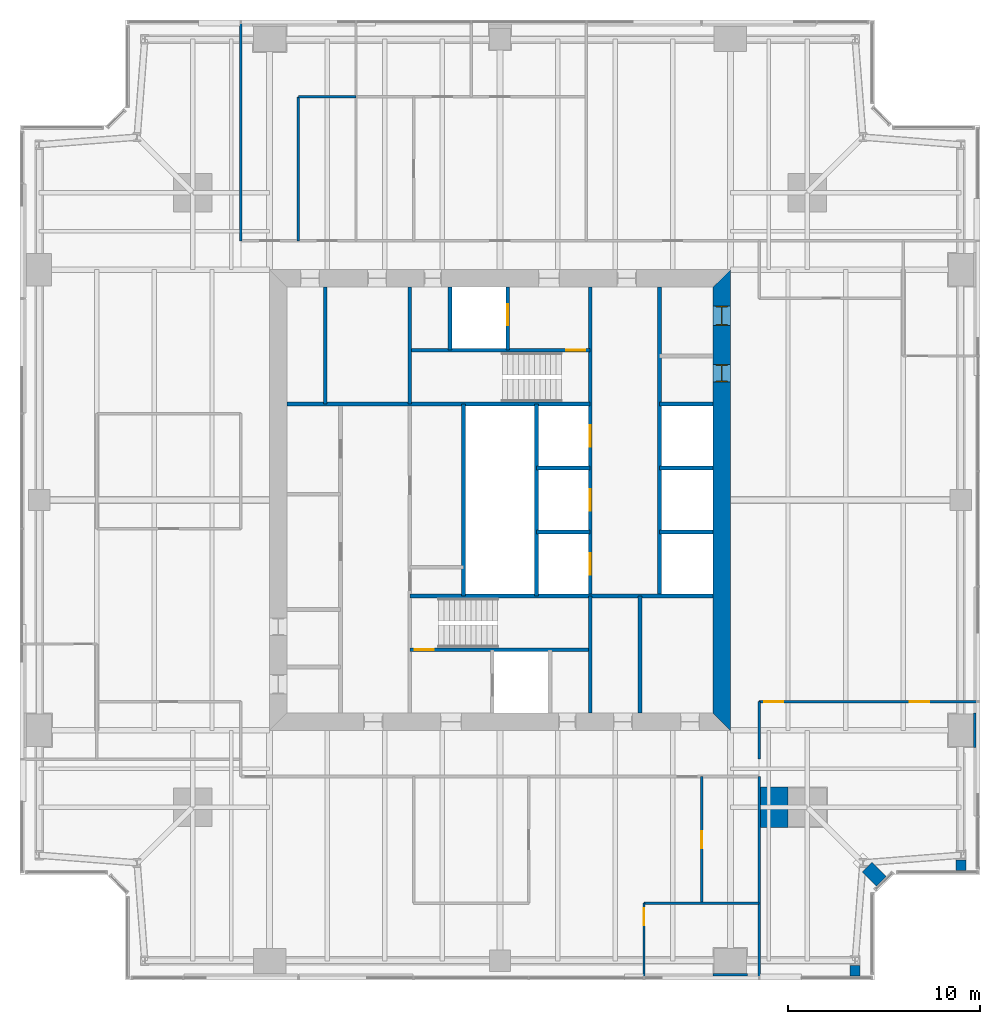
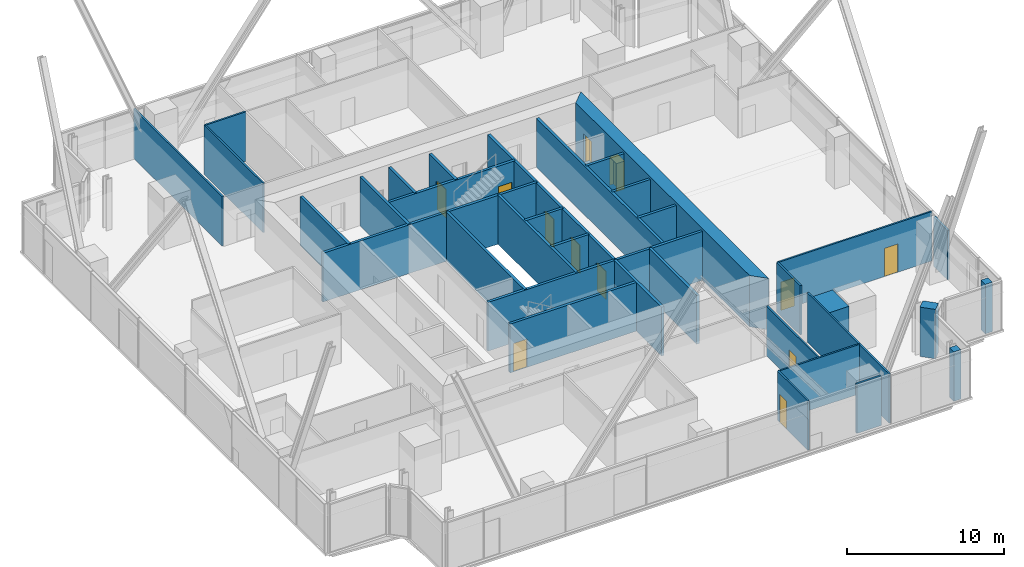
# One storey, part 10 of 13: 35 walls, 12 doors, 12 openings.
"""IFC4 building model written with IfcOpenShell, lengths in metres."""

from ifc_helpers import new_model, si_unit, direction, frame, frame_2d, origin, place, context, subcontext, project, spatial, polyline, rectangle, outline, extrude, material, layer, layer_set, type_object, element, fill, save


model = new_model("IFC4")

# Units and contexts
model_context = context("Model", 3, precision=1e-05, world=origin(), true_north=direction((0.0, 1.0)))
body_context = subcontext(model_context, "Body", "Model", "MODEL_VIEW")
ifc_project = project(units=[si_unit("LENGTHUNIT", "METRE"), si_unit("AREAUNIT", "SQUARE_METRE"), si_unit("VOLUMEUNIT", "CUBIC_METRE"), si_unit("PLANEANGLEUNIT", "RADIAN"), si_unit("MASSUNIT", "GRAM", prefix="KILO")], contexts=[model_context])

# Site, building, storey
site_placement = place(None, origin())
site = spatial("IfcSite", under=ifc_project, at=site_placement, CompositionType="ELEMENT")
building_placement = place(site_placement, origin())
building = spatial("IfcBuilding", under=site, at=building_placement, Name="Fenwick Lantern Interchange", CompositionType="ELEMENT")
storey_placement = place(building_placement, frame((0.0, 0.0, 201.800048828125)))
storey = spatial("IfcBuildingStorey", under=building, at=storey_placement, Name="L47", CompositionType="ELEMENT", Elevation=201.800048828125)

# Walls
ifc_material_1 = material(Name="Fire-rated gypsum board encasement on steel studs, 2 hour", Category="steel")
ifc_layer_1 = layer(ifc_material_1, 1.800048828125)
ifc_layer_set_1 = layer_set([ifc_layer_1], Name="COLUMN PIER 1800")
wall_type_1 = type_object("IfcWallType", Name="COLUMN PIER 1800", PredefinedType="PARTITIONING", material=ifc_layer_set_1)
for number, where, z_axis, x_axis, name in (
    (1, (37.0, 0.199951171875, 0.0), (0.0, 0.0, 1.0), (0.0, 1.0, 0.0), "L47/W/PIER/CS4"),
    (2, (49.800048828125, 13.0, 0.0), (0.0, 0.0, 1.0), (-1.0, 0.0, 0.0), "L47/W/PIER/CE2"),
):
    element("IfcWall", number, at=place(storey_placement, frame(where, z_axis=z_axis, x_axis=x_axis)), inside=storey, type_object=wall_type_1, Name=name, PredefinedType="PARTITIONING", context=body_context, shape_type="SweptSolid", body=[
        extrude(rectangle(XDim=0.150146484375, YDim=1.800048828125, at=frame_2d((0.0751953125, 0.0))), origin(), (0.0, 0.0, 1.0), 3.849853515625),
    ])
ifc_layer_2 = layer(ifc_material_1, 2.10009765625)
ifc_layer_set_2 = layer_set([ifc_layer_2], Name="COLUMN PIER 2100")
wall_type_2 = type_object("IfcWallType", Name="COLUMN PIER 2100", PredefinedType="PARTITIONING", material=ifc_layer_set_2)
wall_1_placement = place(storey_placement, frame((38.5625, 9.0, 0.0), z_axis=(0.0, 0.0, 1.0), x_axis=(1.0, 0.0, 0.0)))
element("IfcWall", 3, at=wall_1_placement, inside=storey, type_object=wall_type_2, Name="L47/W/PIER/M2", PredefinedType="PARTITIONING", context=body_context, shape_type="SweptSolid", body=[
    extrude(rectangle(XDim=1.4375, YDim=2.10009765625, at=frame_2d((0.71875, 0.0))), origin(), (0.0, 0.0, 1.0), 3.849853515625),
])
ifc_layer_3 = layer(ifc_material_1, 0.52392578125)
ifc_layer_set_3 = layer_set([ifc_layer_3], Name="COLUMN PIER 524")
wall_type_3 = type_object("IfcWallType", Name="COLUMN PIER 524", PredefinedType="PARTITIONING", material=ifc_layer_set_3)
for number, where, z_axis, x_axis, name in (
    (4, (43.5, 0.199951171875, 0.0), (0.0, 0.0, 1.0), (0.0, 1.0, 0.0), "L47/W/PIER/CS5"),
    (5, (49.0, 5.699951171875, 0.0), (0.0, 0.0, 1.0), (0.0, 1.0, 0.0), "L47/W/PIER/CE1"),
):
    element("IfcWall", number, at=place(storey_placement, frame(where, z_axis=z_axis, x_axis=x_axis)), inside=storey, type_object=wall_type_3, Name=name, PredefinedType="PARTITIONING", context=body_context, shape_type="SweptSolid", body=[
        extrude(rectangle(XDim=0.5625, YDim=0.52392578125, at=frame_2d((0.28125, 0.0))), origin(), (0.0, 0.0, 1.0), 3.849853515625),
    ])
ifc_layer_4 = layer(ifc_material_1, 0.736083984375)
ifc_layer_set_4 = layer_set([ifc_layer_4], Name="COLUMN PIER 736")
wall_type_4 = type_object("IfcWallType", Name="COLUMN PIER 736", PredefinedType="PARTITIONING", material=ifc_layer_set_4)
wall_2_placement = place(storey_placement, frame((44.858642578125, 5.141357421875, 0.0), z_axis=(0.0, 0.0, 1.0), x_axis=(-0.707106781187, 0.707106781187, 0.0)))
element("IfcWall", 6, at=wall_2_placement, inside=storey, type_object=wall_type_4, Name="L47/W/PIER/CSR", PredefinedType="PARTITIONING", context=body_context, shape_type="SweptSolid", body=[
    extrude(rectangle(XDim=1.037841796875, YDim=0.736083984375, at=frame_2d((0.51904296875, 0.0))), origin(), (0.0, 0.0, 1.0), 3.849853515625),
])
ifc_material_2 = material(Name="Concrete masonry ASTM C90 Grade N", Category="masonry")
ifc_layer_5 = layer(ifc_material_2, 0.199951171875)
ifc_layer_set_5 = layer_set([ifc_layer_5], Name="Concrete masonry ASTM C90 Grade N")
wall_type_5 = type_object("IfcWallType", Name="CORE PARTITION 200", PredefinedType="PARTITIONING", material=ifc_layer_set_5)
wall_3_placement = place(storey_placement, frame((23.10009765625, 20.0, 0.0), z_axis=(0.0, 0.0, 1.0), x_axis=(0.0, 1.0, 0.0)))
element("IfcWall", 7, at=wall_3_placement, inside=storey, type_object=wall_type_5, Name="L47/W/CORES/e3", PredefinedType="PARTITIONING", context=body_context, shape_type="SweptSolid", body=[
    extrude(rectangle(XDim=10.0, YDim=0.199951171875, at=frame_2d((5.0, 0.0))), origin(), (0.0, 0.0, 1.0), 3.800048828125),
])
wall_4_placement = place(storey_placement, frame((32.300048828125, 13.89990234375, 0.0), z_axis=(0.0, 0.0, 1.0), x_axis=(0.0, 1.0, 0.0)))
element("IfcWall", 8, at=wall_4_placement, inside=storey, type_object=wall_type_5, Name="L47/W/CORES/i2", PredefinedType="PARTITIONING", context=body_context, shape_type="SweptSolid", body=[
    extrude(rectangle(XDim=6.10009765625, YDim=0.199951171875, at=frame_2d((3.050048828125, 0.0))), origin(), (0.0, 0.0, 1.0), 3.800048828125),
])
wall_5_placement = place(storey_placement, frame((33.300048828125, 36.10009765625, 0.0), z_axis=(0.0, 0.0, 1.0), x_axis=(0.0, -1.0, 0.0)))
element("IfcWall", 9, at=wall_5_placement, inside=storey, type_object=wall_type_5, Name="L47/W/COREN/a", PredefinedType="PARTITIONING", context=body_context, shape_type="SweptSolid", body=[
    extrude(rectangle(XDim=16.10009765625, YDim=0.199951171875, at=frame_2d((8.050048828125, 0.0))), origin(), (0.0, 0.0, 1.0), 3.800048828125),
])
for number, where, z_axis, x_axis, name in (
    (10, (36.10009765625, 30.0, 0.0), (0.0, 0.0, 1.0), (-1.0, 0.0, 0.0), "L47/W/COREN/c2"),
    (11, (36.10009765625, 26.666748046875, 0.0), (0.0, 0.0, 1.0), (-1.0, 0.0, 0.0), "L47/W/COREN/d1"),
    (12, (36.10009765625, 23.333251953125, 0.0), (0.0, 0.0, 1.0), (-1.0, 0.0, 0.0), "L47/W/COREN/d2"),
    (13, (29.699951171875, 26.666748046875, 0.0), (0.0, 0.0, 1.0), (-1.0, 0.0, 0.0), "L47/W/COREN/e1"),
    (14, (29.699951171875, 23.333251953125, 0.0), (0.0, 0.0, 1.0), (-1.0, 0.0, 0.0), "L47/W/COREN/e2"),
):
    element("IfcWall", number, at=place(storey_placement, frame(where, z_axis=z_axis, x_axis=x_axis)), inside=storey, type_object=wall_type_5, Name=name, PredefinedType="PARTITIONING", context=body_context, shape_type="SweptSolid", body=[
        extrude(rectangle(XDim=2.800048828125, YDim=0.199951171875, at=frame_2d((1.39990234375, 0.0))), origin(), (0.0, 0.0, 1.0), 3.800048828125),
    ])
wall_6_placement = place(storey_placement, frame((26.89990234375, 30.0, 0.0), z_axis=(0.0, 0.0, 1.0), x_axis=(0.0, -1.0, 0.0)))
element("IfcWall", 15, at=wall_6_placement, inside=storey, type_object=wall_type_5, Name="L47/W/COREN/e3", PredefinedType="PARTITIONING", context=body_context, shape_type="SweptSolid", body=[
    extrude(rectangle(XDim=10.0, YDim=0.199951171875, at=frame_2d((5.0, 0.0))), origin(), (0.0, 0.0, 1.0), 3.800048828125),
])

# Wall, opening, door
wall_7_placement = place(storey_placement, frame((25.39990234375, 36.10009765625, 0.0), z_axis=(0.0, 0.0, 1.0), x_axis=(0.0, -1.0, 0.0)))
wall_7 = element("IfcWall", 16, at=wall_7_placement, inside=storey, type_object=wall_type_5, Name="L47/W/COREN/h1", PredefinedType="PARTITIONING", context=body_context, shape_type="SweptSolid", body=[
    extrude(rectangle(XDim=3.300048828125, YDim=0.199951171875, at=frame_2d((1.64990234375, 0.0))), origin(), (0.0, 0.0, 1.0), 3.800048828125),
])
opening_1_placement = place(wall_7_placement, frame((0.89990234375, 0.0, 0.0)))
opening_1 = element("IfcOpeningElement", 17, at=opening_1_placement, cuts=wall_7, Name="Opening LD-FL2", PredefinedType="OPENING", context=body_context, shape_type="SweptSolid", body=[
    extrude(rectangle(XDim=1.10009765625, YDim=2.199951171875, at=frame_2d((0.550048828125, 1.10009765625))), frame((0.0, 0.10986328125, 0.0), z_axis=(0.0, -1.0, 0.0), x_axis=(1.0, 0.0, 0.0)), (0.0, 0.0, 1.0), 0.219970703125),
])
ifc_material_3 = material(Name="Steel door and frame", Category="steel")
door_type_1 = type_object("IfcDoorType", Name="LIFT LANDING DOOR 1100 X 2200", OperationType="DOUBLE_DOOR_SLIDING", PredefinedType="DOOR", material=ifc_material_3)
door_1_placement = place(opening_1_placement, origin())
door_1 = element("IfcDoor", 18, at=door_1_placement, inside=storey, type_object=door_type_1, Name="Lift landing door FL2", OperationType="DOUBLE_DOOR_SLIDING", OverallHeight=2.199951171875, OverallWidth=1.10009765625, PredefinedType="DOOR", context=body_context, shape_type="SweptSolid", body=[
    extrude(rectangle(XDim=1.10009765625, YDim=2.199951171875, at=frame_2d((0.550048828125, 1.10009765625))), frame((0.0, 0.02490234375, 0.0), z_axis=(0.0, -1.0, 0.0), x_axis=(1.0, 0.0, 0.0)), (0.0, 0.0, 1.0), 0.050048828125),
])
fill(opening_1, door_1)

# Walls
wall_8_placement = place(storey_placement, frame((22.39990234375, 36.10009765625, 0.0), z_axis=(0.0, 0.0, 1.0), x_axis=(0.0, -1.0, 0.0)))
element("IfcWall", 19, at=wall_8_placement, inside=storey, type_object=wall_type_5, Name="L47/W/COREN/h2", PredefinedType="PARTITIONING", context=body_context, shape_type="SweptSolid", body=[
    extrude(rectangle(XDim=3.300048828125, YDim=0.199951171875, at=frame_2d((1.64990234375, 0.0))), origin(), (0.0, 0.0, 1.0), 3.800048828125),
])
wall_9_placement = place(storey_placement, frame((15.89990234375, 36.10009765625, 0.0), z_axis=(0.0, 0.0, 1.0), x_axis=(0.0, -1.0, 0.0)))
element("IfcWall", 20, at=wall_9_placement, inside=storey, type_object=wall_type_5, Name="L47/W/COREN/i2", PredefinedType="PARTITIONING", context=body_context, shape_type="SweptSolid", body=[
    extrude(rectangle(XDim=6.10009765625, YDim=0.199951171875, at=frame_2d((3.050048828125, 0.0))), origin(), (0.0, 0.0, 1.0), 3.800048828125),
])

# Wall, openings, doors
ifc_material_4 = material(Name="Concrete f'c 70 MPa", Category="concrete")
ifc_layer_6 = layer(ifc_material_4, 0.89990234375)
ifc_layer_set_6 = layer_set([ifc_layer_6], Name="CORE WALL 900")
wall_type_6 = type_object("IfcWallType", Name="CORE WALL 900", PredefinedType="SHEAR", material=ifc_layer_set_6)
wall_10_placement = place(storey_placement, frame((36.550048828125, 13.89990234375, 0.0), z_axis=(0.0, 0.0, 1.0), x_axis=(0.0, 1.0, 0.0)))
wall_10 = element("IfcWall", 21, at=wall_10_placement, inside=storey, type_object=wall_type_6, Name="L47/CORE/E", PredefinedType="SHEAR", context=body_context, shape_type="SweptSolid", body=[
    extrude(outline(polyline([(-0.89990234375, -0.449951171875), (23.10009765625, -0.449951171875), (22.199951171875, 0.449951171875), (0.0, 0.449951171875), (-0.89990234375, -0.449951171875)])), origin(), (0.0, 0.0, 1.0), 4.0),
])
opening_2_placement = place(wall_10_placement, frame((20.199951171875, 0.0, 0.0)))
opening_2 = element("IfcOpeningElement", 22, at=opening_2_placement, cuts=wall_10, Name="Opening L47-D019", PredefinedType="OPENING", context=body_context, shape_type="SweptSolid", body=[
    extrude(rectangle(XDim=1.0, YDim=2.199951171875, at=frame_2d((0.5, 1.10009765625))), frame((0.0, 0.4599609375, 0.0), z_axis=(0.0, -1.0, 0.0), x_axis=(1.0, 0.0, 0.0)), (0.0, 0.0, 1.0), 0.919921875),
])
opening_3_placement = place(wall_10_placement, frame((17.25, 0.0, 0.0)))
opening_3 = element("IfcOpeningElement", 23, at=opening_3_placement, cuts=wall_10, Name="Opening L47-D020", PredefinedType="OPENING", context=body_context, shape_type="SweptSolid", body=[
    extrude(rectangle(XDim=0.89990234375, YDim=2.199951171875, at=frame_2d((0.449951171875, 1.10009765625))), frame((0.0, 0.4599609375, 0.0), z_axis=(0.0, -1.0, 0.0), x_axis=(1.0, 0.0, 0.0)), (0.0, 0.0, 1.0), 0.919921875),
])
door_type_2 = type_object("IfcDoorType", Name="SERVICE DOOR 900 X 2200", OperationType="SINGLE_SWING_LEFT", PredefinedType="DOOR", material=ifc_material_3)
door_2_placement = place(opening_3_placement, origin())
door_2 = element("IfcDoor", 24, at=door_2_placement, inside=storey, type_object=door_type_2, Name="Service door", OperationType="SINGLE_SWING_RIGHT", OverallHeight=2.199951171875, OverallWidth=0.89990234375, PredefinedType="DOOR", context=body_context, shape_type="SweptSolid", body=[
    extrude(rectangle(XDim=0.89990234375, YDim=2.199951171875, at=frame_2d((0.449951171875, 1.10009765625))), frame((0.0, 0.02490234375, 0.0), z_axis=(0.0, -1.0, 0.0), x_axis=(1.0, 0.0, 0.0)), (0.0, 0.0, 1.0), 0.050048828125),
    extrude(outline(polyline([(0.0, 0.0), (0.0400390625, 0.0), (0.0400390625, 2.159912109375), (0.85986328125, 2.159912109375), (0.85986328125, 0.0), (0.89990234375, 0.0), (0.89990234375, 2.199951171875), (0.0, 2.199951171875), (0.0, 0.0)])), frame((0.0, 0.300048828125, 0.0), z_axis=(0.0, -1.0, 0.0), x_axis=(1.0, 0.0, 0.0)), (0.0, 0.0, 1.0), 0.60009765625),
])
fill(opening_3, door_2)
ifc_material_5 = material(Name="Hardwood door and steel frame", Category="steel")
door_type_3 = type_object("IfcDoorType", Name="WC DOOR 1000 X 2200", OperationType="SINGLE_SWING_LEFT", PredefinedType="DOOR", material=ifc_material_5)
door_3_placement = place(opening_2_placement, origin())
door_3 = element("IfcDoor", 25, at=door_3_placement, inside=storey, type_object=door_type_3, Name="Wc door", OperationType="SINGLE_SWING_RIGHT", OverallHeight=2.199951171875, OverallWidth=1.0, PredefinedType="DOOR", context=body_context, shape_type="SweptSolid", body=[
    extrude(rectangle(XDim=1.0, YDim=2.199951171875, at=frame_2d((0.5, 1.10009765625))), frame((0.0, 0.02490234375, 0.0), z_axis=(0.0, -1.0, 0.0), x_axis=(1.0, 0.0, 0.0)), (0.0, 0.0, 1.0), 0.050048828125),
    extrude(outline(polyline([(0.0, 0.0), (0.0400390625, 0.0), (0.0400390625, 2.159912109375), (0.9599609375, 2.159912109375), (0.9599609375, 0.0), (1.0, 0.0), (1.0, 2.199951171875), (0.0, 2.199951171875), (0.0, 0.0)])), frame((0.0, 0.300048828125, 0.0), z_axis=(0.0, -1.0, 0.0), x_axis=(1.0, 0.0, 0.0)), (0.0, 0.0, 1.0), 0.60009765625),
])
fill(opening_2, door_3)

# Wall, opening, door
ifc_material_6 = material(Name="Gypsum board on steel studs, acoustic", Category="steel")
ifc_layer_7 = layer(ifc_material_6, 0.125)
ifc_layer_set_7 = layer_set([ifc_layer_7], Name="OFFICE PARTITION 125")
wall_type_7 = type_object("IfcWallType", Name="OFFICE PARTITION 125", PredefinedType="PARTITIONING", material=ifc_layer_set_7)
wall_11_placement = place(storey_placement, frame((32.5, 0.14990234375, 0.0), z_axis=(0.0, 0.0, 1.0), x_axis=(0.0, 1.0, 0.0)))
wall_11 = element("IfcWall", 26, at=wall_11_placement, inside=storey, type_object=wall_type_7, Name="L47/W/OFF/S/X325-1", PredefinedType="PARTITIONING", context=body_context, shape_type="SweptSolid", body=[
    extrude(rectangle(XDim=3.85009765625, YDim=0.125, at=frame_2d((1.925048828125, 0.0))), origin(), (0.0, 0.0, 1.0), 3.849853515625),
])
opening_4_placement = place(wall_11_placement, frame((2.699951171875, 0.0, 0.0)))
opening_4 = element("IfcOpeningElement", 27, at=opening_4_placement, cuts=wall_11, Name="Opening L47-D024", PredefinedType="OPENING", context=body_context, shape_type="SweptSolid", body=[
    extrude(rectangle(XDim=0.89990234375, YDim=2.199951171875, at=frame_2d((0.449951171875, 1.10009765625))), frame((0.0, 0.072509765625, 0.0), z_axis=(0.0, -1.0, 0.0), x_axis=(1.0, 0.0, 0.0)), (0.0, 0.0, 1.0), 0.14501953125),
])
door_type_4 = type_object("IfcDoorType", Name="OFFICE DOOR 900 X 2200", OperationType="SINGLE_SWING_LEFT", PredefinedType="DOOR", material=ifc_material_5)
door_4_placement = place(opening_4_placement, frame((0.89990234375, 0.0, 0.0), z_axis=(0.0, 0.0, 1.0), x_axis=(-1.0, 0.0, 0.0)))
door_4 = element("IfcDoor", 28, at=door_4_placement, inside=storey, type_object=door_type_4, Name="Office door", OperationType="SINGLE_SWING_LEFT", OverallHeight=2.199951171875, OverallWidth=0.89990234375, PredefinedType="DOOR", context=body_context, shape_type="SweptSolid", body=[
    extrude(rectangle(XDim=0.89990234375, YDim=2.199951171875, at=frame_2d((0.449951171875, 1.10009765625))), frame((0.0, 0.02490234375, 0.0), z_axis=(0.0, -1.0, 0.0), x_axis=(1.0, 0.0, 0.0)), (0.0, 0.0, 1.0), 0.050048828125),
])
fill(opening_4, door_4)

wall_12_placement = place(storey_placement, frame((35.5, 4.0, 0.0), z_axis=(0.0, 0.0, 1.0), x_axis=(0.0, 1.0, 0.0)))
wall_12 = element("IfcWall", 29, at=wall_12_placement, inside=storey, type_object=wall_type_7, Name="L47/W/OFF/S/X355-1", PredefinedType="PARTITIONING", context=body_context, shape_type="SweptSolid", body=[
    extrude(rectangle(XDim=6.60009765625, YDim=0.125, at=frame_2d((3.300048828125, 0.0))), origin(), (0.0, 0.0, 1.0), 3.849853515625),
])
opening_5_placement = place(wall_12_placement, frame((2.85009765625, 0.0, 0.0)))
opening_5 = element("IfcOpeningElement", 30, at=opening_5_placement, cuts=wall_12, Name="Opening L47-D025", PredefinedType="OPENING", context=body_context, shape_type="SweptSolid", body=[
    extrude(rectangle(XDim=0.89990234375, YDim=2.199951171875, at=frame_2d((0.449951171875, 1.10009765625))), frame((0.0, 0.072509765625, 0.0), z_axis=(0.0, -1.0, 0.0), x_axis=(1.0, 0.0, 0.0)), (0.0, 0.0, 1.0), 0.14501953125),
])
door_5_placement = place(opening_5_placement, frame((0.89990234375, 0.0, 0.0), z_axis=(0.0, 0.0, 1.0), x_axis=(-1.0, 0.0, 0.0)))
door_5 = element("IfcDoor", 31, at=door_5_placement, inside=storey, type_object=door_type_4, Name="Office door", OperationType="SINGLE_SWING_RIGHT", OverallHeight=2.199951171875, OverallWidth=0.89990234375, PredefinedType="DOOR", context=body_context, shape_type="SweptSolid", body=[
    extrude(rectangle(XDim=0.89990234375, YDim=2.199951171875, at=frame_2d((0.449951171875, 1.10009765625))), frame((0.0, 0.02490234375, 0.0), z_axis=(0.0, -1.0, 0.0), x_axis=(1.0, 0.0, 0.0)), (0.0, 0.0, 1.0), 0.050048828125),
])
fill(opening_5, door_5)

# Walls
wall_13_placement = place(storey_placement, frame((32.5, 4.0, 0.0), z_axis=(0.0, 0.0, 1.0), x_axis=(1.0, 0.0, 0.0)))
element("IfcWall", 32, at=wall_13_placement, inside=storey, type_object=wall_type_7, Name="L47/W/OFF/S/Y40-2", PredefinedType="PARTITIONING", context=body_context, shape_type="SweptSolid", body=[
    extrude(rectangle(XDim=6.0, YDim=0.125, at=frame_2d((3.0, 0.0))), origin(), (0.0, 0.0, 1.0), 3.849853515625),
])
wall_14_placement = place(storey_placement, frame((38.5, 0.14990234375, 0.0), z_axis=(0.0, 0.0, 1.0), x_axis=(0.0, 1.0, 0.0)))
element("IfcWall", 33, at=wall_14_placement, inside=storey, type_object=wall_type_7, Name="L47/W/OFF/E/BACK", PredefinedType="PARTITIONING", context=body_context, shape_type="SweptSolid", body=[
    extrude(rectangle(XDim=10.4501953125, YDim=0.125, at=frame_2d((5.22509765625, 0.0))), origin(), (0.0, 0.0, 1.0), 3.849853515625),
])

# Wall, openings, doors
wall_15_placement = place(storey_placement, frame((49.85009765625, 14.5, 0.0), z_axis=(0.0, 0.0, 1.0), x_axis=(-1.0, 0.0, 0.0)))
wall_15 = element("IfcWall", 34, at=wall_15_placement, inside=storey, type_object=wall_type_7, Name="L47/W/OFF/E/X145-1", PredefinedType="PARTITIONING", context=body_context, shape_type="SweptSolid", body=[
    extrude(rectangle(XDim=11.35009765625, YDim=0.125, at=frame_2d((5.675048828125, 0.0))), origin(), (0.0, 0.0, 1.0), 3.849853515625),
])
opening_6_placement = place(wall_15_placement, frame((2.5, 0.0, 0.0)))
opening_6 = element("IfcOpeningElement", 35, at=opening_6_placement, cuts=wall_15, Name="Opening L47-D026", PredefinedType="OPENING", context=body_context, shape_type="SweptSolid", body=[
    extrude(rectangle(XDim=1.0, YDim=2.199951171875, at=frame_2d((0.5, 1.10009765625))), frame((0.0, 0.072509765625, 0.0), z_axis=(0.0, -1.0, 0.0), x_axis=(1.0, 0.0, 0.0)), (0.0, 0.0, 1.0), 0.14501953125),
])
opening_7_placement = place(wall_15_placement, frame((10.10009765625, 0.0, 0.0)))
opening_7 = element("IfcOpeningElement", 36, at=opening_7_placement, cuts=wall_15, Name="Opening L47-D027", PredefinedType="OPENING", context=body_context, shape_type="SweptSolid", body=[
    extrude(rectangle(XDim=1.0, YDim=2.199951171875, at=frame_2d((0.5, 1.10009765625))), frame((0.0, 0.072509765625, 0.0), z_axis=(0.0, -1.0, 0.0), x_axis=(1.0, 0.0, 0.0)), (0.0, 0.0, 1.0), 0.14501953125),
])
door_type_5 = type_object("IfcDoorType", Name="MEETING ROOM DOOR 1000 X 2200", OperationType="SINGLE_SWING_LEFT", PredefinedType="DOOR", material=ifc_material_5)
door_6_placement = place(opening_6_placement, frame((1.0, 0.0, 0.0), z_axis=(0.0, 0.0, 1.0), x_axis=(-1.0, 0.0, 0.0)))
door_6 = element("IfcDoor", 37, at=door_6_placement, inside=storey, type_object=door_type_5, Name="Meeting room door", OperationType="SINGLE_SWING_RIGHT", OverallHeight=2.199951171875, OverallWidth=1.0, PredefinedType="DOOR", context=body_context, shape_type="SweptSolid", body=[
    extrude(rectangle(XDim=1.0, YDim=2.199951171875, at=frame_2d((0.5, 1.10009765625))), frame((0.0, 0.02490234375, 0.0), z_axis=(0.0, -1.0, 0.0), x_axis=(1.0, 0.0, 0.0)), (0.0, 0.0, 1.0), 0.050048828125),
])
fill(opening_6, door_6)
door_7_placement = place(opening_7_placement, frame((1.0, 0.0, 0.0), z_axis=(0.0, 0.0, 1.0), x_axis=(-1.0, 0.0, 0.0)))
door_7 = element("IfcDoor", 38, at=door_7_placement, inside=storey, type_object=door_type_5, Name="Meeting room door", OperationType="SINGLE_SWING_LEFT", OverallHeight=2.199951171875, OverallWidth=1.0, PredefinedType="DOOR", context=body_context, shape_type="SweptSolid", body=[
    extrude(rectangle(XDim=1.0, YDim=2.199951171875, at=frame_2d((0.5, 1.10009765625))), frame((0.0, 0.02490234375, 0.0), z_axis=(0.0, -1.0, 0.0), x_axis=(1.0, 0.0, 0.0)), (0.0, 0.0, 1.0), 0.050048828125),
])
fill(opening_7, door_7)

# Walls
wall_16_placement = place(storey_placement, frame((38.5, 11.5, 0.0), z_axis=(0.0, 0.0, 1.0), x_axis=(0.0, 1.0, 0.0)))
element("IfcWall", 39, at=wall_16_placement, inside=storey, type_object=wall_type_7, Name="L47/W/OFF/E/CWS1", PredefinedType="PARTITIONING", context=body_context, shape_type="SweptSolid", body=[
    extrude(rectangle(XDim=3.0, YDim=0.125, at=frame_2d((1.5, 0.0))), origin(), (0.0, 0.0, 1.0), 3.849853515625),
])
wall_17_placement = place(storey_placement, frame((14.5, 46.0, 0.0), z_axis=(0.0, 0.0, 1.0), x_axis=(0.0, -1.0, 0.0)))
element("IfcWall", 40, at=wall_17_placement, inside=storey, type_object=wall_type_7, Name="L47/W/OFF/N/X355-1", PredefinedType="PARTITIONING", context=body_context, shape_type="SweptSolid", body=[
    extrude(rectangle(XDim=7.5, YDim=0.125, at=frame_2d((3.75, 0.0))), origin(), (0.0, 0.0, 1.0), 3.849853515625),
])
wall_18_placement = place(storey_placement, frame((17.5, 46.0, 0.0), z_axis=(0.0, 0.0, 1.0), x_axis=(-1.0, 0.0, 0.0)))
element("IfcWall", 41, at=wall_18_placement, inside=storey, type_object=wall_type_7, Name="L47/W/OFF/N/Y40-2", PredefinedType="PARTITIONING", context=body_context, shape_type="SweptSolid", body=[
    extrude(rectangle(XDim=3.0, YDim=0.125, at=frame_2d((1.5, 0.0))), origin(), (0.0, 0.0, 1.0), 3.849853515625),
])
wall_19_placement = place(storey_placement, frame((11.5, 49.85009765625, 0.0), z_axis=(0.0, 0.0, 1.0), x_axis=(0.0, -1.0, 0.0)))
element("IfcWall", 42, at=wall_19_placement, inside=storey, type_object=wall_type_7, Name="L47/W/OFF/W/BACK", PredefinedType="PARTITIONING", context=body_context, shape_type="SweptSolid", body=[
    extrude(rectangle(XDim=11.35009765625, YDim=0.125, at=frame_2d((5.675048828125, 0.0))), origin(), (0.0, 0.0, 1.0), 3.849853515625),
])

# Wall, opening, door
ifc_material_7 = material(Name="Concrete f'c 45 MPa", Category="concrete")
ifc_layer_8 = layer(ifc_material_7, 0.199951171875)
ifc_layer_set_8 = layer_set([ifc_layer_8], Name="STAIR CORE WALL 200")
wall_type_8 = type_object("IfcWallType", Name="STAIR CORE WALL 200", PredefinedType="SOLIDWALL", material=ifc_layer_set_8)
wall_20_placement = place(storey_placement, frame((20.300048828125, 17.199951171875, 0.0), z_axis=(0.0, 0.0, 1.0), x_axis=(1.0, 0.0, 0.0)))
wall_20 = element("IfcWall", 43, at=wall_20_placement, inside=storey, type_object=wall_type_8, Name="L47/W/CORES/g1", PredefinedType="SOLIDWALL", context=body_context, shape_type="SweptSolid", body=[
    extrude(rectangle(XDim=9.39990234375, YDim=0.199951171875, at=frame_2d((4.699951171875, 0.0))), origin(), (0.0, 0.0, 1.0), 3.800048828125),
])
opening_8_placement = place(wall_20_placement, frame((0.25, 0.0, 0.0)))
opening_8 = element("IfcOpeningElement", 44, at=opening_8_placement, cuts=wall_20, Name="Opening L47-D003", PredefinedType="OPENING", context=body_context, shape_type="SweptSolid", body=[
    extrude(rectangle(XDim=1.0, YDim=2.199951171875, at=frame_2d((0.5, 1.10009765625))), frame((0.0, 0.10986328125, 0.0), z_axis=(0.0, -1.0, 0.0), x_axis=(1.0, 0.0, 0.0)), (0.0, 0.0, 1.0), 0.219970703125),
])
door_type_6 = type_object("IfcDoorType", Name="STAIR DOOR 1000 X 2200", OperationType="SINGLE_SWING_LEFT", PredefinedType="DOOR", material=ifc_material_3)
door_8_placement = place(opening_8_placement, origin())
door_8 = element("IfcDoor", 45, at=door_8_placement, inside=storey, type_object=door_type_6, Name="Stair door", OperationType="SINGLE_SWING_LEFT", OverallHeight=2.199951171875, OverallWidth=1.0, PredefinedType="DOOR", context=body_context, shape_type="SweptSolid", body=[
    extrude(rectangle(XDim=1.0, YDim=2.199951171875, at=frame_2d((0.5, 1.10009765625))), frame((0.0, 0.02490234375, 0.0), z_axis=(0.0, -1.0, 0.0), x_axis=(1.0, 0.0, 0.0)), (0.0, 0.0, 1.0), 0.050048828125),
])
fill(opening_8, door_8)

# Walls
wall_21_placement = place(storey_placement, frame((20.300048828125, 20.0, 0.0), z_axis=(0.0, 0.0, 1.0), x_axis=(1.0, 0.0, 0.0)))
element("IfcWall", 46, at=wall_21_placement, inside=storey, type_object=wall_type_8, Name="L47/W/CORES/g2", PredefinedType="SOLIDWALL", context=body_context, shape_type="SweptSolid", body=[
    extrude(rectangle(XDim=15.800048828125, YDim=0.199951171875, at=frame_2d((7.89990234375, 0.0))), origin(), (0.0, 0.0, 1.0), 3.800048828125),
])
wall_22_placement = place(storey_placement, frame((29.699951171875, 13.89990234375, 0.0), z_axis=(0.0, 0.0, 1.0), x_axis=(0.0, 1.0, 0.0)))
element("IfcWall", 47, at=wall_22_placement, inside=storey, type_object=wall_type_8, Name="L47/W/CORES/i1", PredefinedType="SOLIDWALL", context=body_context, shape_type="SweptSolid", body=[
    extrude(rectangle(XDim=6.10009765625, YDim=0.199951171875, at=frame_2d((3.050048828125, 0.0))), origin(), (0.0, 0.0, 1.0), 3.800048828125),
])

# Wall, openings, doors
wall_23_placement = place(storey_placement, frame((29.699951171875, 36.10009765625, 0.0), z_axis=(0.0, 0.0, 1.0), x_axis=(0.0, -1.0, 0.0)))
wall_23 = element("IfcWall", 48, at=wall_23_placement, inside=storey, type_object=wall_type_8, Name="L47/W/COREN/b", PredefinedType="SOLIDWALL", context=body_context, shape_type="SweptSolid", body=[
    extrude(rectangle(XDim=16.10009765625, YDim=0.199951171875, at=frame_2d((8.050048828125, 0.0))), origin(), (0.0, 0.0, 1.0), 3.800048828125),
])
opening_9_placement = place(wall_23_placement, frame((7.216552734375, 0.0, 0.0)))
opening_9 = element("IfcOpeningElement", 49, at=opening_9_placement, cuts=wall_23, Name="Opening LD-E2-1", PredefinedType="OPENING", context=body_context, shape_type="SweptSolid", body=[
    extrude(rectangle(XDim=1.10009765625, YDim=2.199951171875, at=frame_2d((0.550048828125, 1.10009765625))), frame((0.0, 0.10986328125, 0.0), z_axis=(0.0, -1.0, 0.0), x_axis=(1.0, 0.0, 0.0)), (0.0, 0.0, 1.0), 0.219970703125),
])
opening_10_placement = place(wall_23_placement, frame((10.550048828125, 0.0, 0.0)))
opening_10 = element("IfcOpeningElement", 50, at=opening_10_placement, cuts=wall_23, Name="Opening LD-E2-2", PredefinedType="OPENING", context=body_context, shape_type="SweptSolid", body=[
    extrude(rectangle(XDim=1.10009765625, YDim=2.199951171875, at=frame_2d((0.550048828125, 1.10009765625))), frame((0.0, 0.10986328125, 0.0), z_axis=(0.0, -1.0, 0.0), x_axis=(1.0, 0.0, 0.0)), (0.0, 0.0, 1.0), 0.219970703125),
])
opening_11_placement = place(wall_23_placement, frame((13.88330078125, 0.0, 0.0)))
opening_11 = element("IfcOpeningElement", 51, at=opening_11_placement, cuts=wall_23, Name="Opening LD-E2-3", PredefinedType="OPENING", context=body_context, shape_type="SweptSolid", body=[
    extrude(rectangle(XDim=1.10009765625, YDim=2.199951171875, at=frame_2d((0.550048828125, 1.10009765625))), frame((0.0, 0.10986328125, 0.0), z_axis=(0.0, -1.0, 0.0), x_axis=(1.0, 0.0, 0.0)), (0.0, 0.0, 1.0), 0.219970703125),
])
door_9_placement = place(opening_9_placement, origin())
door_9 = element("IfcDoor", 52, at=door_9_placement, inside=storey, type_object=door_type_1, Name="Lift landing door E2-1", OperationType="DOUBLE_DOOR_SLIDING", OverallHeight=2.199951171875, OverallWidth=1.10009765625, PredefinedType="DOOR", context=body_context, shape_type="SweptSolid", body=[
    extrude(rectangle(XDim=1.10009765625, YDim=2.199951171875, at=frame_2d((0.550048828125, 1.10009765625))), frame((0.0, 0.02490234375, 0.0), z_axis=(0.0, -1.0, 0.0), x_axis=(1.0, 0.0, 0.0)), (0.0, 0.0, 1.0), 0.050048828125),
])
fill(opening_9, door_9)
door_10_placement = place(opening_10_placement, origin())
door_10 = element("IfcDoor", 53, at=door_10_placement, inside=storey, type_object=door_type_1, Name="Lift landing door E2-2", OperationType="DOUBLE_DOOR_SLIDING", OverallHeight=2.199951171875, OverallWidth=1.10009765625, PredefinedType="DOOR", context=body_context, shape_type="SweptSolid", body=[
    extrude(rectangle(XDim=1.10009765625, YDim=2.199951171875, at=frame_2d((0.550048828125, 1.10009765625))), frame((0.0, 0.02490234375, 0.0), z_axis=(0.0, -1.0, 0.0), x_axis=(1.0, 0.0, 0.0)), (0.0, 0.0, 1.0), 0.050048828125),
])
fill(opening_10, door_10)
door_11_placement = place(opening_11_placement, origin())
door_11 = element("IfcDoor", 54, at=door_11_placement, inside=storey, type_object=door_type_1, Name="Lift landing door E2-3", OperationType="DOUBLE_DOOR_SLIDING", OverallHeight=2.199951171875, OverallWidth=1.10009765625, PredefinedType="DOOR", context=body_context, shape_type="SweptSolid", body=[
    extrude(rectangle(XDim=1.10009765625, YDim=2.199951171875, at=frame_2d((0.550048828125, 1.10009765625))), frame((0.0, 0.02490234375, 0.0), z_axis=(0.0, -1.0, 0.0), x_axis=(1.0, 0.0, 0.0)), (0.0, 0.0, 1.0), 0.050048828125),
])
fill(opening_11, door_11)

# Wall, opening, door
wall_24_placement = place(storey_placement, frame((29.699951171875, 32.800048828125, 0.0), z_axis=(0.0, 0.0, 1.0), x_axis=(-1.0, 0.0, 0.0)))
wall_24 = element("IfcWall", 55, at=wall_24_placement, inside=storey, type_object=wall_type_8, Name="L47/W/COREN/g1", PredefinedType="SOLIDWALL", context=body_context, shape_type="SweptSolid", body=[
    extrude(rectangle(XDim=9.39990234375, YDim=0.199951171875, at=frame_2d((4.699951171875, 0.0))), origin(), (0.0, 0.0, 1.0), 3.800048828125),
])
opening_12_placement = place(wall_24_placement, frame((0.25, 0.0, 0.0)))
opening_12 = element("IfcOpeningElement", 56, at=opening_12_placement, cuts=wall_24, Name="Opening L47-D015", PredefinedType="OPENING", context=body_context, shape_type="SweptSolid", body=[
    extrude(rectangle(XDim=1.0, YDim=2.199951171875, at=frame_2d((0.5, 1.10009765625))), frame((0.0, 0.10986328125, 0.0), z_axis=(0.0, -1.0, 0.0), x_axis=(1.0, 0.0, 0.0)), (0.0, 0.0, 1.0), 0.219970703125),
])
door_12_placement = place(opening_12_placement, origin())
door_12 = element("IfcDoor", 57, at=door_12_placement, inside=storey, type_object=door_type_6, Name="Stair door", OperationType="SINGLE_SWING_LEFT", OverallHeight=2.199951171875, OverallWidth=1.0, PredefinedType="DOOR", context=body_context, shape_type="SweptSolid", body=[
    extrude(rectangle(XDim=1.0, YDim=2.199951171875, at=frame_2d((0.5, 1.10009765625))), frame((0.0, 0.02490234375, 0.0), z_axis=(0.0, -1.0, 0.0), x_axis=(1.0, 0.0, 0.0)), (0.0, 0.0, 1.0), 0.050048828125),
])
fill(opening_12, door_12)

# Walls
wall_25_placement = place(storey_placement, frame((29.699951171875, 30.0, 0.0), z_axis=(0.0, 0.0, 1.0), x_axis=(-1.0, 0.0, 0.0)))
element("IfcWall", 58, at=wall_25_placement, inside=storey, type_object=wall_type_8, Name="L47/W/COREN/g2", PredefinedType="SOLIDWALL", context=body_context, shape_type="SweptSolid", body=[
    extrude(rectangle(XDim=15.800048828125, YDim=0.199951171875, at=frame_2d((7.89990234375, 0.0))), origin(), (0.0, 0.0, 1.0), 3.800048828125),
])
wall_26_placement = place(storey_placement, frame((20.300048828125, 36.10009765625, 0.0), z_axis=(0.0, 0.0, 1.0), x_axis=(0.0, -1.0, 0.0)))
element("IfcWall", 59, at=wall_26_placement, inside=storey, type_object=wall_type_8, Name="L47/W/COREN/i1", PredefinedType="SOLIDWALL", context=body_context, shape_type="SweptSolid", body=[
    extrude(rectangle(XDim=6.10009765625, YDim=0.199951171875, at=frame_2d((3.050048828125, 0.0))), origin(), (0.0, 0.0, 1.0), 3.800048828125),
])

save(model, "model.ifc")
